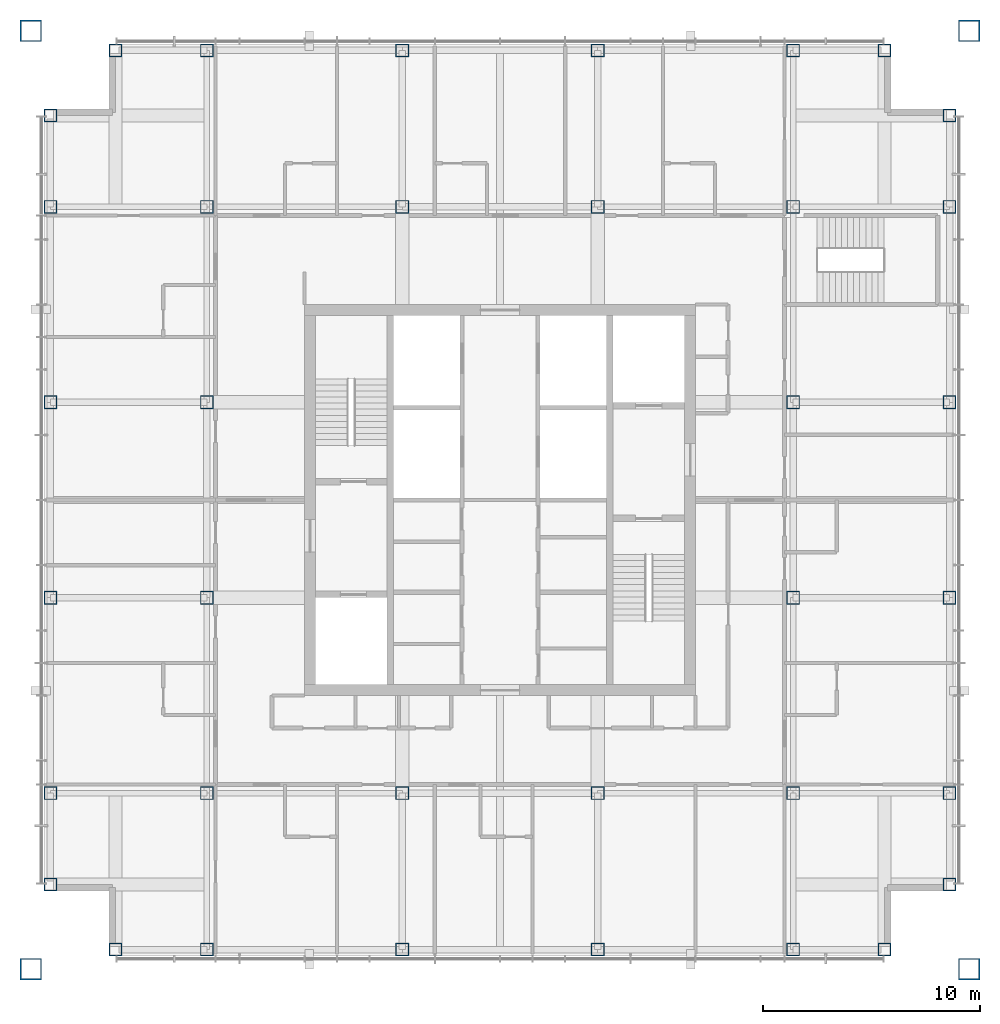
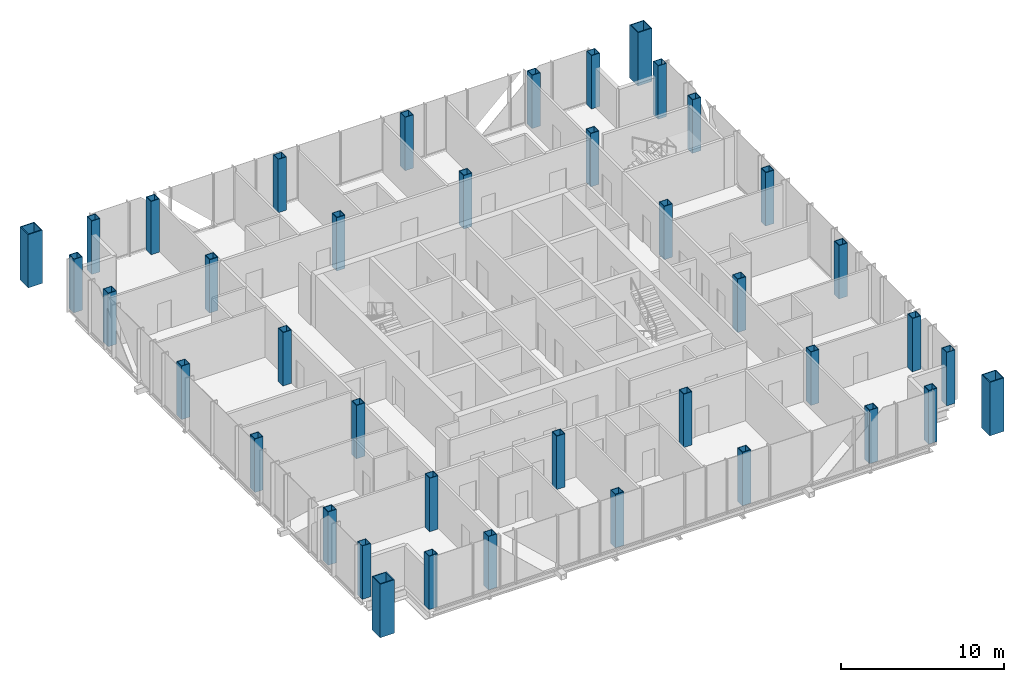
# One storey, part 1 of 11: 40 columns.
"""IFC4 building model written with IfcOpenShell, lengths in metres."""

from ifc_helpers import new_model, si_unit, direction, frame, origin, origin_2d, place, context, subcontext, project, spatial, hollow_rectangle, extrude, material, material_profile, profile_set, type_object, element, save


model = new_model("IFC4")

# Units and contexts
model_context = context("Model", 3, precision=1e-05, world=origin(), true_north=direction((0.0, 1.0)))
body_context = subcontext(model_context, "Body", "Model", "MODEL_VIEW")
ifc_project = project(units=[si_unit("LENGTHUNIT", "METRE"), si_unit("AREAUNIT", "SQUARE_METRE"), si_unit("VOLUMEUNIT", "CUBIC_METRE"), si_unit("PLANEANGLEUNIT", "RADIAN"), si_unit("MASSUNIT", "GRAM", prefix="KILO")], contexts=[model_context])

# Site, building, storey
site_placement = place(None, origin())
site = spatial("IfcSite", under=ifc_project, at=site_placement, CompositionType="ELEMENT")
building_placement = place(site_placement, origin())
building = spatial("IfcBuilding", under=site, at=building_placement, Name="Malebo Sky Hospital", CompositionType="ELEMENT")
storey_placement = place(building_placement, frame((0.0, 0.0, 278.0)))
storey = spatial("IfcBuildingStorey", under=building, at=storey_placement, Name="L67", CompositionType="ELEMENT", Elevation=278.0)

# Columns
ifc_material = material(Name="Steel S460", Category="steel")
ifc_material_profile_1 = material_profile(ifc_material, hollow_rectangle(XDim=0.60009765625, YDim=0.60009765625, WallThickness=0.0400390625, at=origin_2d()), Name="BOX 600x600x40")
ifc_profile_set_1 = profile_set([ifc_material_profile_1], Name="Steel S460")
column_type_1 = type_object("IfcColumnType", Name="INNER COLUMN BOX 600x600x40", PredefinedType="COLUMN", material=ifc_profile_set_1)
for number, where, z_axis, x_axis, name in (
    (1, (46.5, 48.5, 0.0), (0.0, 0.0, 1.0), (1.0, 0.0, 0.0), "Column IC4 L67"),
    (2, (73.5, 48.5, 0.0), (0.0, 0.0, 1.0), (1.0, 0.0, 0.0), "Column IC4 L67"),
    (3, (73.5, 75.5, 0.0), (0.0, 0.0, 1.0), (1.0, 0.0, 0.0), "Column IC4 L67"),
    (4, (46.5, 75.5, 0.0), (0.0, 0.0, 1.0), (1.0, 0.0, 0.0), "Column IC4 L67"),
    (5, (55.5, 48.5, 0.0), (0.0, 0.0, 1.0), (1.0, 0.0, 0.0), "Column IC4 L67"),
    (6, (64.5, 48.5, 0.0), (0.0, 0.0, 1.0), (1.0, 0.0, 0.0), "Column IC4 L67"),
    (7, (55.5, 75.5, 0.0), (0.0, 0.0, 1.0), (1.0, 0.0, 0.0), "Column IC4 L67"),
    (8, (64.5, 75.5, 0.0), (0.0, 0.0, 1.0), (1.0, 0.0, 0.0), "Column IC4 L67"),
    (9, (46.5, 57.5, 0.0), (0.0, 0.0, 1.0), (1.0, 0.0, 0.0), "Column IC4 L67"),
    (10, (46.5, 66.5, 0.0), (0.0, 0.0, 1.0), (1.0, 0.0, 0.0), "Column IC4 L67"),
    (11, (73.5, 57.5, 0.0), (0.0, 0.0, 1.0), (1.0, 0.0, 0.0), "Column IC4 L67"),
    (12, (73.5, 66.5, 0.0), (0.0, 0.0, 1.0), (1.0, 0.0, 0.0), "Column IC4 L67"),
):
    element("IfcColumn", number, at=place(storey_placement, frame(where, z_axis=z_axis, x_axis=x_axis)), inside=storey, type_object=column_type_1, Name=name, PredefinedType="COLUMN", context=body_context, shape_type="SweptSolid", body=[
        extrude(hollow_rectangle(XDim=0.60009765625, YDim=0.60009765625, WallThickness=0.0400390625, at=origin_2d()), origin(), (0.0, 0.0, 1.0), 4.0),
    ])
ifc_material_profile_2 = material_profile(ifc_material, hollow_rectangle(XDim=1.0, YDim=1.0, WallThickness=0.06005859375, at=origin_2d()), Name="BOX 1000x1000x60")
ifc_profile_set_2 = profile_set([ifc_material_profile_2], Name="Steel S460")
column_type_2 = type_object("IfcColumnType", Name="MEGA COLUMN BOX 1000x1000x60", PredefinedType="COLUMN", material=ifc_profile_set_2)
for number, where, z_axis, x_axis, name in (
    (13, (38.39990234375, 40.39990234375, 0.0), (0.0, 0.0, 1.0), (1.0, 0.0, 0.0), "Mega column SW L67"),
    (14, (81.60009765625, 40.39990234375, 0.0), (0.0, 0.0, 1.0), (1.0, 0.0, 0.0), "Mega column SE L67"),
    (15, (81.60009765625, 83.60009765625, 0.0), (0.0, 0.0, 1.0), (1.0, 0.0, 0.0), "Mega column NE L67"),
    (16, (38.39990234375, 83.60009765625, 0.0), (0.0, 0.0, 1.0), (1.0, 0.0, 0.0), "Mega column NW L67"),
):
    element("IfcColumn", number, at=place(storey_placement, frame(where, z_axis=z_axis, x_axis=x_axis)), inside=storey, type_object=column_type_2, Name=name, PredefinedType="COLUMN", context=body_context, shape_type="SweptSolid", body=[
        extrude(hollow_rectangle(XDim=1.0, YDim=1.0, WallThickness=0.06005859375, at=origin_2d()), origin(), (0.0, 0.0, 1.0), 4.0),
    ])
ifc_material_profile_3 = material_profile(ifc_material, hollow_rectangle(XDim=0.60009765625, YDim=0.60009765625, WallThickness=0.0400390625, at=origin_2d()), Name="BOX 600x600x40")
ifc_profile_set_3 = profile_set([ifc_material_profile_3], Name="Steel S460")
column_type_3 = type_object("IfcColumnType", Name="PERIMETER COLUMN BOX 600x600x40", PredefinedType="COLUMN", material=ifc_profile_set_3)
for number, where, z_axis, x_axis, name in (
    (17, (42.300048828125, 41.300048828125, 0.0), (0.0, 0.0, 1.0), (1.0, 0.0, 0.0), "Column PC4 L67"),
    (18, (42.300048828125, 82.699951171875, 0.0), (0.0, 0.0, 1.0), (1.0, 0.0, 0.0), "Column PC4 L67"),
    (19, (39.300048828125, 44.300048828125, 0.0), (0.0, 0.0, 1.0), (1.0, 0.0, 0.0), "Column PC4 L67"),
    (20, (80.699951171875, 44.300048828125, 0.0), (0.0, 0.0, 1.0), (1.0, 0.0, 0.0), "Column PC4 L67"),
    (21, (46.5, 41.300048828125, 0.0), (0.0, 0.0, 1.0), (1.0, 0.0, 0.0), "Column PC4 L67"),
    (22, (46.5, 82.699951171875, 0.0), (0.0, 0.0, 1.0), (1.0, 0.0, 0.0), "Column PC4 L67"),
    (23, (39.300048828125, 48.5, 0.0), (0.0, 0.0, 1.0), (1.0, 0.0, 0.0), "Column PC4 L67"),
    (24, (80.699951171875, 48.5, 0.0), (0.0, 0.0, 1.0), (1.0, 0.0, 0.0), "Column PC4 L67"),
    (25, (55.5, 41.300048828125, 0.0), (0.0, 0.0, 1.0), (1.0, 0.0, 0.0), "Column PC4 L67"),
    (26, (55.5, 82.699951171875, 0.0), (0.0, 0.0, 1.0), (1.0, 0.0, 0.0), "Column PC4 L67"),
    (27, (39.300048828125, 57.5, 0.0), (0.0, 0.0, 1.0), (1.0, 0.0, 0.0), "Column PC4 L67"),
    (28, (80.699951171875, 57.5, 0.0), (0.0, 0.0, 1.0), (1.0, 0.0, 0.0), "Column PC4 L67"),
    (29, (64.5, 41.300048828125, 0.0), (0.0, 0.0, 1.0), (1.0, 0.0, 0.0), "Column PC4 L67"),
    (30, (64.5, 82.699951171875, 0.0), (0.0, 0.0, 1.0), (1.0, 0.0, 0.0), "Column PC4 L67"),
    (31, (39.300048828125, 66.5, 0.0), (0.0, 0.0, 1.0), (1.0, 0.0, 0.0), "Column PC4 L67"),
    (32, (80.699951171875, 66.5, 0.0), (0.0, 0.0, 1.0), (1.0, 0.0, 0.0), "Column PC4 L67"),
    (33, (73.5, 41.300048828125, 0.0), (0.0, 0.0, 1.0), (1.0, 0.0, 0.0), "Column PC4 L67"),
    (34, (73.5, 82.699951171875, 0.0), (0.0, 0.0, 1.0), (1.0, 0.0, 0.0), "Column PC4 L67"),
    (35, (39.300048828125, 75.5, 0.0), (0.0, 0.0, 1.0), (1.0, 0.0, 0.0), "Column PC4 L67"),
    (36, (80.699951171875, 75.5, 0.0), (0.0, 0.0, 1.0), (1.0, 0.0, 0.0), "Column PC4 L67"),
    (37, (77.699951171875, 41.300048828125, 0.0), (0.0, 0.0, 1.0), (1.0, 0.0, 0.0), "Column PC4 L67"),
    (38, (77.699951171875, 82.699951171875, 0.0), (0.0, 0.0, 1.0), (1.0, 0.0, 0.0), "Column PC4 L67"),
    (39, (39.300048828125, 79.699951171875, 0.0), (0.0, 0.0, 1.0), (1.0, 0.0, 0.0), "Column PC4 L67"),
    (40, (80.699951171875, 79.699951171875, 0.0), (0.0, 0.0, 1.0), (1.0, 0.0, 0.0), "Column PC4 L67"),
):
    element("IfcColumn", number, at=place(storey_placement, frame(where, z_axis=z_axis, x_axis=x_axis)), inside=storey, type_object=column_type_3, Name=name, PredefinedType="COLUMN", context=body_context, shape_type="SweptSolid", body=[
        extrude(hollow_rectangle(XDim=0.60009765625, YDim=0.60009765625, WallThickness=0.0400390625, at=origin_2d()), origin(), (0.0, 0.0, 1.0), 4.0),
    ])

save(model, "model.ifc")
